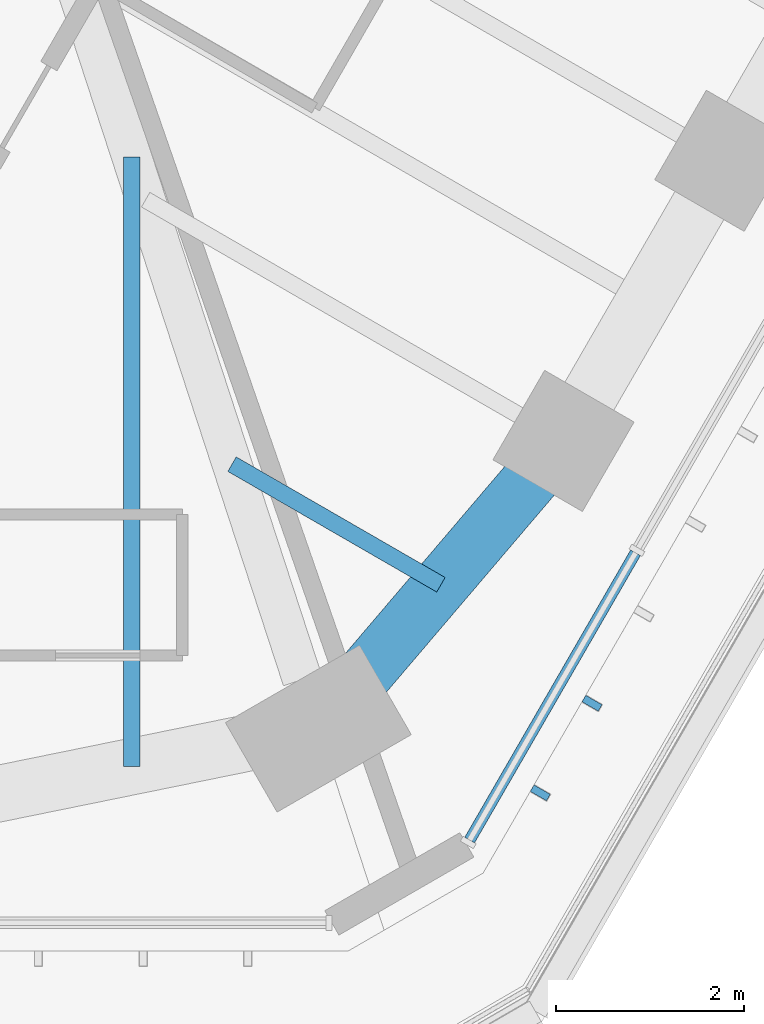
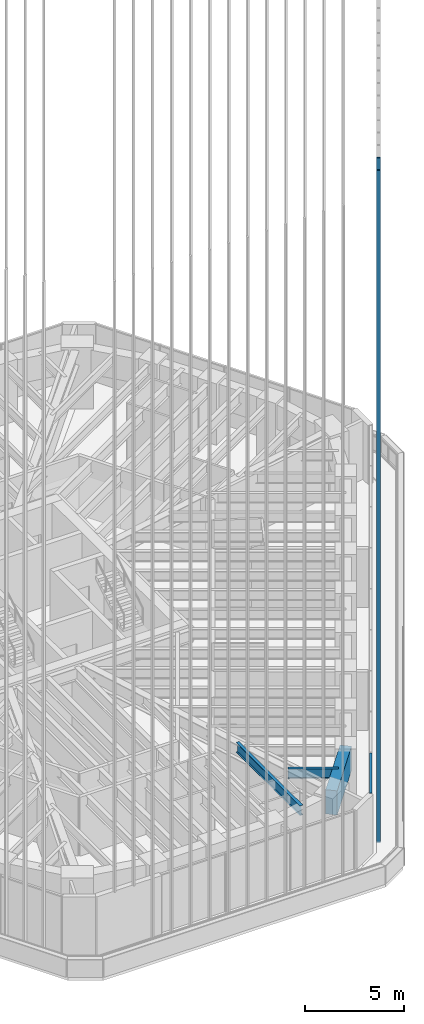
# One storey, part 34 of 127: 3 beams, 3 members, 1 element without a shape of its own.
"""IFC4 building model written with IfcOpenShell, lengths in metres."""

import ifcopenshell
import ifcopenshell.guid

model = None  # the IFC model being written
_history = None  # IfcOwnerHistory: only IFC2X3 demands one
_inside = {}  # id of a spatial element -> (the spatial element, [elements in it])
_under = {}  # id of a project, library or spatial element -> (it, [spatial elements below it])
_declared = {}  # id of a project -> (the project, [libraries it declares])
_typed = {}  # id of a type object -> (the type object, [elements of that type])
_made_of = {}  # id of a material, layer set ... -> (it, [elements and type objects made of it])


def new_model(schema):
    """Start an empty IFC model of exactly this schema.

    Asked for "IFC4X3", IfcOpenShell would pick the latest addendum, in which some entities
    have other attributes; the version numbers below select the first issue.
    IFC2X3 requires an IfcOwnerHistory on every rooted entity: one is made here for all.
    """
    global model, _history
    if schema == "IFC4X3":
        model = ifcopenshell.file(schema_version=(4, 3, 0, 0))
    else:
        model = ifcopenshell.file(schema=schema)
    _inside.clear()
    _under.clear()
    _declared.clear()
    _typed.clear()
    _made_of.clear()
    _history = None
    if model.schema == "IFC2X3":
        org = make("IfcOrganization", Name="unknown")
        user = make(
            "IfcPersonAndOrganization",
            ThePerson=make("IfcPerson", FamilyName="unknown"),
            TheOrganization=org,
        )
        app = make(
            "IfcApplication",
            ApplicationDeveloper=org,
            Version="unknown",
            ApplicationFullName="unknown",
            ApplicationIdentifier="unknown",
        )
        _history = make(
            "IfcOwnerHistory",
            OwningUser=user,
            OwningApplication=app,
            ChangeAction="ADDED",
            CreationDate=0,
        )
    return model


def make(cls, **values):
    """One entity of the class cls with the attributes given. An attribute that is None is left unset."""
    return model.create_entity(
        cls, **{name: value for name, value in values.items() if value is not None}
    )


def rooted(cls, **values):
    """An entity with a GlobalId (a new one), such as an element, a storey or a relation."""
    return make(cls, GlobalId=ifcopenshell.guid.new(), OwnerHistory=_history, **values)


def si_unit(unit_type, name, prefix=None):
    """IfcSIUnit, for example si_unit("LENGTHUNIT", "METRE", prefix="MILLI")."""
    return make("IfcSIUnit", UnitType=unit_type, Prefix=prefix, Name=name)


def assignment(units):
    """IfcUnitAssignment: the units of a project."""
    return None if units is None else make("IfcUnitAssignment", Units=units)


def point(xyz):
    """IfcCartesianPoint."""
    return None if xyz is None else make("IfcCartesianPoint", Coordinates=xyz)


def direction(xyz):
    """IfcDirection."""
    return None if xyz is None else make("IfcDirection", DirectionRatios=xyz)


def frame(location, z_axis=None, x_axis=None):
    """IfcAxis2Placement3D, a coordinate frame: its origin and axes. An axis left out is left unset."""
    return make(
        "IfcAxis2Placement3D",
        Location=point(location),
        Axis=direction(z_axis),
        RefDirection=direction(x_axis),
    )


def frame_2d(location, x_axis=None):
    """IfcAxis2Placement2D, a coordinate frame in the plane: its origin and x axis."""
    return make(
        "IfcAxis2Placement2D", Location=point(location), RefDirection=direction(x_axis)
    )


def origin():
    """The frame at (0, 0, 0) with its axes left unset."""
    return frame((0.0, 0.0, 0.0))


def origin_2d():
    """The frame at (0, 0) in the plane with its x axis left unset."""
    return frame_2d((0.0, 0.0))


def place(relative_to, where):
    """IfcLocalPlacement: puts the frame where relative to a parent placement (None: the world)."""
    return make(
        "IfcLocalPlacement", PlacementRelTo=relative_to, RelativePlacement=where
    )


def context(
    kind, dimensions, precision=None, world=None, true_north=None, identifier=None
):
    """IfcGeometricRepresentationContext, for example the 3D "Model" context."""
    return make(
        "IfcGeometricRepresentationContext",
        ContextIdentifier=identifier,
        ContextType=kind,
        CoordinateSpaceDimension=dimensions,
        Precision=precision,
        WorldCoordinateSystem=world,
        TrueNorth=true_north,
    )


def subcontext(parent, identifier, kind, view, scale=None):
    """IfcGeometricRepresentationSubContext, for example "Body" below "Model"."""
    return make(
        "IfcGeometricRepresentationSubContext",
        ContextIdentifier=identifier,
        ContextType=kind,
        ParentContext=parent,
        TargetScale=scale,
        TargetView=view,
    )


def project(units=None, contexts=None):
    """IfcProject with its units and contexts."""
    return rooted(
        "IfcProject",
        Name="project",
        RepresentationContexts=contexts,
        UnitsInContext=assignment(units),
    )


def spatial(cls, under=None, at=None, **own):
    """A site, building, storey or space (cls), placed at a placement, below another one or the project."""
    s = rooted(cls, ObjectPlacement=at, **own)
    if under is not None:
        _under.setdefault(under.id(), (under, []))[1].append(s)
    return s


def profile(cls, at=None, kind="AREA", **sizes):
    """A parametric profile (cls). Its sizes go by their IFC names, for example OverallWidth=200.0."""
    return make(cls, ProfileType=kind, Position=at, **sizes)


def rectangle(**sizes):
    """IfcRectangleProfileDef."""
    return profile("IfcRectangleProfileDef", **sizes)


def i_section(**sizes):
    """IfcIShapeProfileDef."""
    return profile("IfcIShapeProfileDef", **sizes)


def extrude(swept, where, along, depth):
    """IfcExtrudedAreaSolid: the profile swept, set in the frame where, extruded along a direction by depth."""
    return make(
        "IfcExtrudedAreaSolid",
        SweptArea=swept,
        Position=where,
        ExtrudedDirection=direction(along),
        Depth=depth,
    )


def shape(context_of_items, identifier, shape_type, items):
    """IfcShapeRepresentation: the items that make up one representation, for example the "Body"."""
    return make(
        "IfcShapeRepresentation",
        ContextOfItems=context_of_items,
        RepresentationIdentifier=identifier,
        RepresentationType=shape_type,
        Items=items,
    )


def material(Name=None, Category=None):
    """IfcMaterial."""
    return make("IfcMaterial", Name=Name, Category=Category)


def material_profile(
    of_material, cross_section, Name=None, Category=None, Priority=None
):
    """IfcMaterialProfile: a cross section and its material."""
    return make(
        "IfcMaterialProfile",
        Name=Name,
        Material=of_material,
        Profile=cross_section,
        Priority=Priority,
        Category=Category,
    )


def profile_set(profiles, Name=None, composite=None):
    """IfcMaterialProfileSet."""
    return make(
        "IfcMaterialProfileSet",
        Name=Name,
        MaterialProfiles=profiles,
        CompositeProfile=composite,
    )


def made_of(thing, what):
    """Note that an element or type object is made of a material, layer set ...; save() writes the relation."""
    if what is not None:
        _made_of.setdefault(what.id(), (what, []))[1].append(thing)
    return thing


def type_object(cls, material=None, **own):
    """A type object (cls), such as IfcWallType, which elements share."""
    return made_of(rooted(cls, **own), material)


def element(
    cls,
    number,
    at=None,
    inside=None,
    cuts=None,
    type_object=None,
    material=None,
    context=None,
    identifier="Body",
    shape_type=None,
    held_by="IfcProductDefinitionShape",
    body=None,
    shapes=None,
    **own,
):
    """One element of the class cls, such as IfcWall. Its Tag is "e" and its number.

    at: its placement. inside: the storey or other place that contains it. cuts: it is an
    opening in that element (IfcRelVoidsElement). A single representation is given by context,
    identifier, shape_type and body (its items); several are given by shapes. held_by: the class
    of the entity that holds the representations. save() writes the other relations.
    """
    e = rooted(cls, Tag="e%d" % number, ObjectPlacement=at, **own)
    if body is not None:
        shapes = [shape(context, identifier, shape_type, body)]
    if shapes is not None:
        e.Representation = make(held_by, Representations=shapes)
    if inside is not None:
        _inside.setdefault(inside.id(), (inside, []))[1].append(e)
    if cuts is not None:
        rooted(
            "IfcRelVoidsElement", RelatingBuildingElement=cuts, RelatedOpeningElement=e
        )
    if type_object is not None:
        _typed.setdefault(type_object.id(), (type_object, []))[1].append(e)
    return made_of(e, material)


def aggregate(whole, parts):
    """IfcRelAggregates: a whole, such as a stair, and the parts it consists of."""
    return rooted("IfcRelAggregates", RelatingObject=whole, RelatedObjects=parts)


def save(model, path):
    """Write the relations noted so far, then the file.

    IfcRelAggregates (storeys below a building ...), IfcRelContainedInSpatialStructure (elements
    in a storey), IfcRelDefinesByType, IfcRelAssociatesMaterial and IfcRelDeclares: one each for
    every whole, place, type object, material and project.
    """
    for whole, parts in _under.values():
        aggregate(whole, parts)
    for where, things in _inside.values():
        rooted(
            "IfcRelContainedInSpatialStructure",
            RelatedElements=things,
            RelatingStructure=where,
        )
    for kind, things in _typed.values():
        rooted("IfcRelDefinesByType", RelatedObjects=things, RelatingType=kind)
    for what, things in _made_of.values():
        rooted("IfcRelAssociatesMaterial", RelatedObjects=things, RelatingMaterial=what)
    for by, libraries in _declared.values():
        rooted("IfcRelDeclares", RelatingContext=by, RelatedDefinitions=libraries)
    model.write(path)


model = new_model("IFC4")

# Units and contexts
model_context = context("Model", 3, precision=1e-05, world=origin(), true_north=direction((0.0, 1.0)))
body_context = subcontext(model_context, "Body", "Model", "MODEL_VIEW")
ifc_project = project(units=[si_unit("LENGTHUNIT", "METRE"), si_unit("AREAUNIT", "SQUARE_METRE"), si_unit("VOLUMEUNIT", "CUBIC_METRE"), si_unit("PLANEANGLEUNIT", "RADIAN"), si_unit("MASSUNIT", "GRAM", prefix="KILO")], contexts=[model_context])

# Site, building, storey
site_placement = place(None, origin())
site = spatial("IfcSite", under=ifc_project, at=site_placement, CompositionType="ELEMENT")
building_placement = place(site_placement, origin())
building = spatial("IfcBuilding", under=site, at=building_placement, Name="Sandreach Pilgrim Tower", CompositionType="ELEMENT")
storey_placement = place(building_placement, frame((0.0, 0.0, 257.0)))
storey = spatial("IfcBuildingStorey", under=building, at=storey_placement, Name="L64", CompositionType="ELEMENT", Elevation=257.0)

# Curtain wall, member
ifc_material_1 = material(Name="Aluminium framed curtain wall", Category="aluminium")
curtain_wall_type = type_object("IfcCurtainWallType", Name="Suite tower curtain wall", PredefinedType="NOTDEFINED", material=ifc_material_1)
curtain_wall_placement = place(storey_placement, origin())
curtain_wall = element("IfcCurtainWall", 1, at=curtain_wall_placement, inside=storey, type_object=curtain_wall_type, Name="CW-4 L64 SE", PredefinedType="NOTDEFINED")
ifc_material_2 = material(Name="Aluminium extrusion", Category="aluminium")
ifc_material_profile_1 = material_profile(ifc_material_2, rectangle(XDim=0.1201171875, YDim=0.070068359375, at=origin_2d()), Name="CW-4T 120X70")
ifc_profile_set_1 = profile_set([ifc_material_profile_1], Name="Aluminium extrusion")
member_type_1 = type_object("IfcMemberType", Name="CW-4 transom", PredefinedType="USERDEFINED", material=ifc_profile_set_1)
member_1_placement = place(storey_placement, frame((10.81689453125, -20.91748046875, 3.60498046875), z_axis=(-0.499997709859, -0.866026725994, 0.0), x_axis=(0.866026725994, -0.499997709859, 0.0)))
member_1 = element("IfcMember", 2, at=member_1_placement, type_object=member_type_1, Name="CW-4 head transom 9", ObjectType="TRANSOM", PredefinedType="USERDEFINED", context=body_context, shape_type="SweptSolid", body=[
    extrude(rectangle(XDim=0.1201171875, YDim=0.070068359375, at=origin_2d()), origin(), (0.0, 0.0, 1.0), 3.53173828125),
])

# Beams
ifc_material_3 = material(Name="Steel ASTM A992 Grade 50", Category="steel")
ifc_material_profile_2 = material_profile(ifc_material_3, i_section(OverallWidth=0.1787109375, OverallDepth=0.60205078125, WebThickness=0.010986328125, FlangeThickness=0.014892578125, at=origin_2d()), Name="W24X62")
ifc_profile_set_2 = profile_set([ifc_material_profile_2], Name="Steel ASTM A992 Grade 50")
beam_type_1 = type_object("IfcBeamType", Name="Floor beam W24X62", PredefinedType="BEAM", material=ifc_profile_set_2)
beam_1_placement = place(storey_placement, frame((8.74462890625, -21.25732421875, 3.339111328125), z_axis=(-0.866041575714, 0.49997198835, 0.0), x_axis=(-0.49997198835, -0.866041575714, 0.0)))
element("IfcBeam", 3, at=beam_1_placement, inside=storey, type_object=beam_type_1, Name="BM L64 FM21", PredefinedType="BEAM", context=body_context, shape_type="SweptSolid", body=[
    extrude(i_section(OverallWidth=0.1787109375, OverallDepth=0.60205078125, WebThickness=0.010986328125, FlangeThickness=0.014892578125, at=origin_2d()), origin(), (0.0, 0.0, 1.0), 2.569091796875),
])
beam_2_placement = place(storey_placement, frame((5.452392578125, -23.19384765625, 3.339111328125), z_axis=(0.0, 1.0, 0.0), x_axis=(-1.0, 0.0, 0.0)))
element("IfcBeam", 4, at=beam_2_placement, inside=storey, type_object=beam_type_1, Name="BM L64 FM22", PredefinedType="BEAM", context=body_context, shape_type="SweptSolid", body=[
    extrude(i_section(OverallWidth=0.1787109375, OverallDepth=0.60205078125, WebThickness=0.010986328125, FlangeThickness=0.014892578125, at=origin_2d()), origin(), (0.0, 0.0, 1.0), 6.49072265625),
])
ifc_material_4 = material(Name="Concrete 10000 psi", Category="concrete")
ifc_material_profile_3 = material_profile(ifc_material_4, rectangle(XDim=0.60009765625, YDim=1.5, at=origin_2d()), Name="RC600X1500")
ifc_profile_set_3 = profile_set([ifc_material_profile_3], Name="Concrete 10000 psi")
beam_type_2 = type_object("IfcBeamType", Name="Spandrel beam RC600X1500", PredefinedType="SPANDREL", material=ifc_profile_set_3)
beam_3_placement = place(storey_placement, frame((10.05029296875, -19.725341796875, 2.889892578125), z_axis=(-0.648586192707, -0.761141215958, 0.0), x_axis=(0.761141215958, -0.648586192707, 0.0)))
element("IfcBeam", 5, at=beam_3_placement, inside=storey, type_object=beam_type_2, Name="BM L64 SP21", PredefinedType="SPANDREL", context=body_context, shape_type="SweptSolid", body=[
    extrude(rectangle(XDim=0.60009765625, YDim=1.5, at=origin_2d()), origin(), (0.0, 0.0, 1.0), 4.02587890625),
])

# Member
ifc_material_5 = material(Name="Extruded terracotta on aluminium core", Category="masonry")
ifc_material_profile_4 = material_profile(ifc_material_5, rectangle(XDim=0.080078125, YDim=0.199951171875, at=origin_2d()), Name="TBE 80X200")
ifc_profile_set_4 = profile_set([ifc_material_profile_4], Name="Extruded terracotta on aluminium core")
member_type_2 = type_object("IfcMemberType", Name="Terracotta baguette east", PredefinedType="USERDEFINED", material=ifc_profile_set_4)
member_2_placement = place(storey_placement, frame((10.35400390625, -22.519287109375, 0.0), z_axis=(0.0, 0.0, 1.0), x_axis=(-0.5, -0.866025403784, 0.0)))
member_2 = element("IfcMember", 6, at=member_2_placement, type_object=member_type_2, Name="Baguette Z4 SE28", ObjectType="BAGUETTE", PredefinedType="USERDEFINED", context=body_context, shape_type="SweptSolid", body=[
    extrude(rectangle(XDim=0.080078125, YDim=0.199951171875, at=origin_2d()), origin(), (0.0, 0.0, 1.0), 41.639892578125),
])

member_3_placement = place(storey_placement, frame((9.802978515625, -23.4736328125, 0.0), z_axis=(0.0, 0.0, 1.0), x_axis=(-0.5, -0.866025403784, 0.0)))
member_3 = element("IfcMember", 7, at=member_3_placement, type_object=member_type_2, Name="Baguette Z4 SE29", ObjectType="BAGUETTE", PredefinedType="USERDEFINED", context=body_context, shape_type="SweptSolid", body=[
    extrude(rectangle(XDim=0.080078125, YDim=0.199951171875, at=origin_2d()), origin(), (0.0, 0.0, 1.0), 41.639892578125),
])

aggregate(curtain_wall, [member_1, member_2, member_3])

save(model, "model.ifc")
